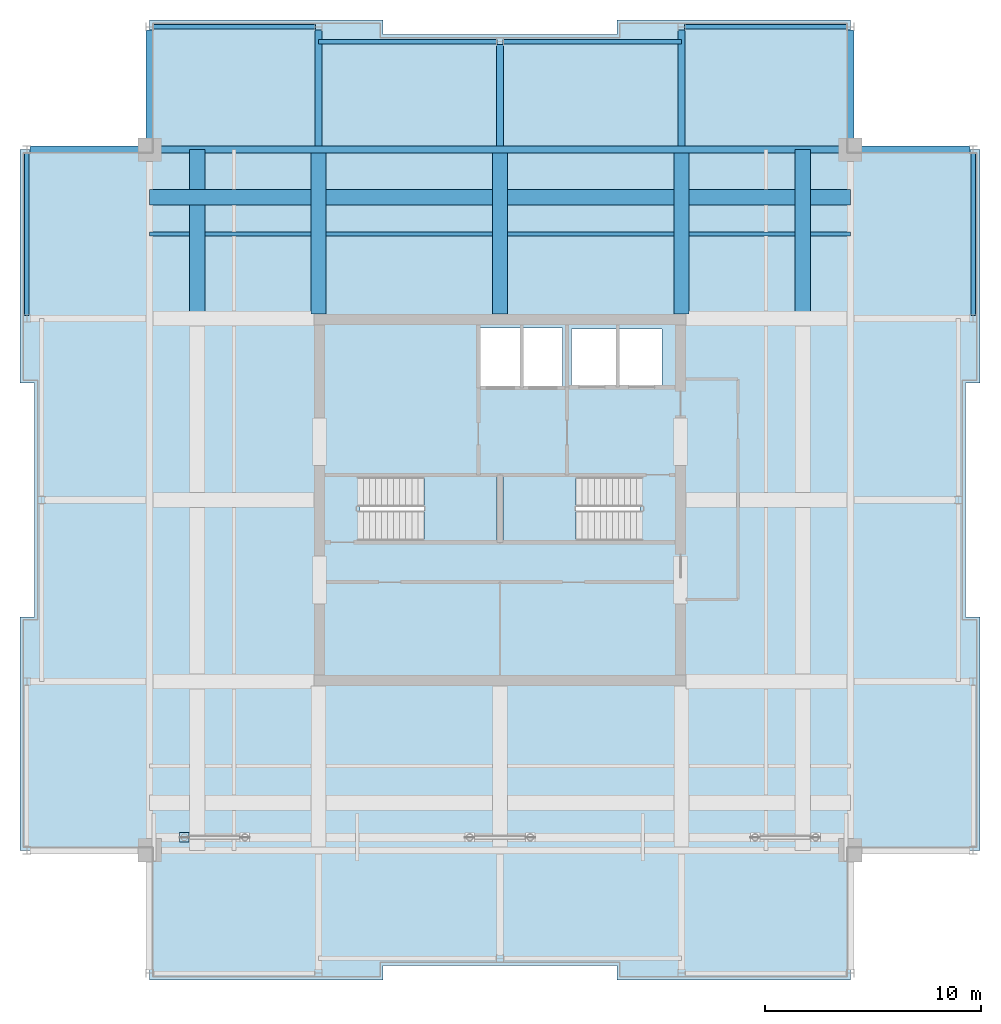
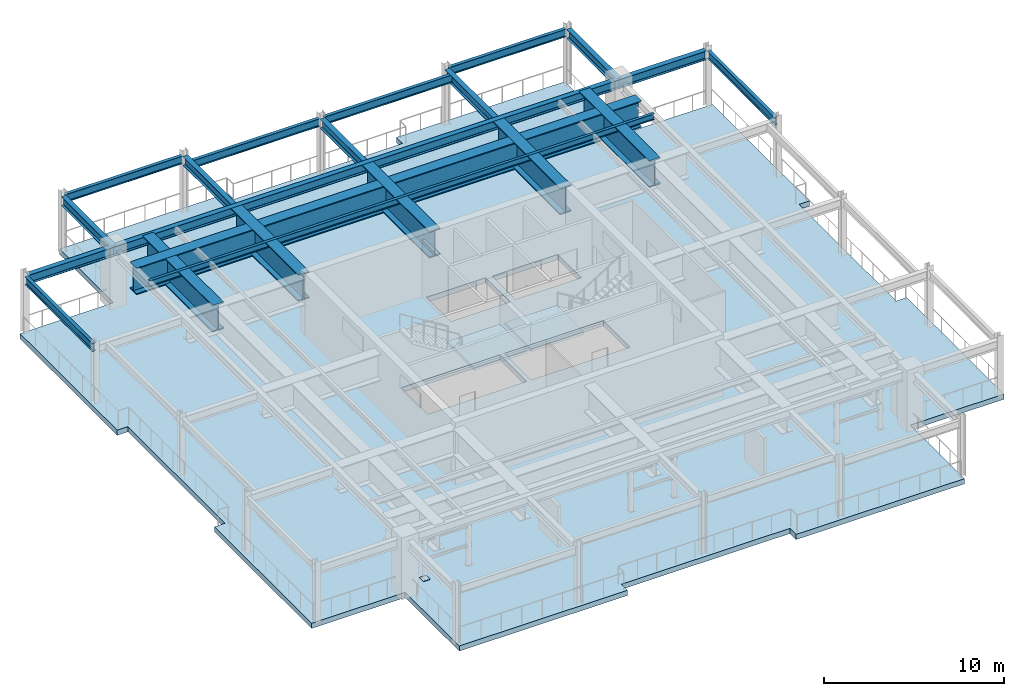
# One storey, part 7 of 12: 24 beams, 3 slabs, 1 plate, 2 elements without a shape of their own.
"""IFC4 building model written with IfcOpenShell, lengths in metres."""

from ifc_helpers import new_model, si_unit, direction, frame, origin, origin_2d, place, context, subcontext, project, spatial, polyline, rectangle, i_section, outline, extrude, material, layer, layer_set, material_profile, profile_set, type_object, element, aggregate, save


model = new_model("IFC4")

# Units and contexts
model_context = context("Model", 3, precision=1e-05, world=origin(), true_north=direction((0.0, 1.0)))
body_context = subcontext(model_context, "Body", "Model", "MODEL_VIEW")
ifc_project = project(units=[si_unit("LENGTHUNIT", "METRE"), si_unit("AREAUNIT", "SQUARE_METRE"), si_unit("VOLUMEUNIT", "CUBIC_METRE"), si_unit("PLANEANGLEUNIT", "RADIAN"), si_unit("MASSUNIT", "GRAM", prefix="KILO")], contexts=[model_context])

# Site, building, storey
site_placement = place(None, origin())
site = spatial("IfcSite", under=ifc_project, at=site_placement, CompositionType="ELEMENT")
building_placement = place(site_placement, origin())
building = spatial("IfcBuilding", under=site, at=building_placement, Name="Drelvath Grand Hotel", CompositionType="ELEMENT")
storey_placement = place(building_placement, frame((0.0, 0.0, 307.199951171875)))
storey = spatial("IfcBuildingStorey", under=building, at=storey_placement, Name="L80", CompositionType="ELEMENT", Elevation=307.199951171875)

# Beams
ifc_material_1 = material(Name="Steel ASTM A572 Gr 50", Category="steel")
ifc_material_profile_1 = material_profile(ifc_material_1, i_section(OverallWidth=0.699951171875, OverallDepth=1.800048828125, WebThickness=0.035888671875, FlangeThickness=0.06494140625, at=origin_2d()), Name="PG1800X700")
ifc_profile_set_1 = profile_set([ifc_material_profile_1], Name="Steel ASTM A572 Gr 50")
beam_type_1 = type_object("IfcBeamType", Name="Built-Up Transfer Girder PG1800X700", PredefinedType="BEAM", material=ifc_profile_set_1)
for number, where, z_axis, x_axis, name in (
    (1, (-14.0, 35.39990234375, 2.97998046875), (0.0, 1.0, 0.0), (-1.0, 0.0, 0.0), "L80 Crown Drum Transfer Girder West 4"),
    (2, (14.0, 35.39990234375, 2.97998046875), (0.0, 1.0, 0.0), (-1.0, 0.0, 0.0), "L80 Crown Drum Transfer Girder East 4"),
    (3, (-16.199951171875, 41.0, 2.97998046875), (1.0, 0.0, 0.0), (0.0, 1.0, 0.0), "L80 Crown Drum Transfer Girder North 1"),
):
    element("IfcBeam", number, at=place(storey_placement, frame(where, z_axis=z_axis, x_axis=x_axis)), inside=storey, type_object=beam_type_1, Name=name, PredefinedType="BEAM", context=body_context, shape_type="SweptSolid", body=[
        extrude(i_section(OverallWidth=0.699951171875, OverallDepth=1.800048828125, WebThickness=0.035888671875, FlangeThickness=0.06494140625, at=origin_2d()), origin(), (0.0, 0.0, 1.0), 7.800048828125),
    ])
for number, where, z_axis, x_axis, name in (
    (4, (-8.39990234375, 41.0, 2.97998046875), (1.0, 0.0, 0.0), (0.0, 1.0, 0.0), "L80 Crown Drum Transfer Girder North 2"),
    (5, (0.0, 41.0, 2.97998046875), (1.0, 0.0, 0.0), (0.0, 1.0, 0.0), "L80 Crown Drum Transfer Girder North 3"),
):
    element("IfcBeam", number, at=place(storey_placement, frame(where, z_axis=z_axis, x_axis=x_axis)), inside=storey, type_object=beam_type_1, Name=name, PredefinedType="BEAM", context=body_context, shape_type="SweptSolid", body=[
        extrude(i_section(OverallWidth=0.699951171875, OverallDepth=1.800048828125, WebThickness=0.035888671875, FlangeThickness=0.06494140625, at=origin_2d()), origin(), (0.0, 0.0, 1.0), 8.39990234375),
    ])
beam_1_placement = place(storey_placement, frame((8.39990234375, 41.0, 2.97998046875), z_axis=(1.0, 0.0, 0.0), x_axis=(0.0, 1.0, 0.0)))
element("IfcBeam", 6, at=beam_1_placement, inside=storey, type_object=beam_type_1, Name="L80 Crown Drum Transfer Girder North 4", PredefinedType="BEAM", context=body_context, shape_type="SweptSolid", body=[
    extrude(i_section(OverallWidth=0.699951171875, OverallDepth=1.800048828125, WebThickness=0.035888671875, FlangeThickness=0.06494140625, at=origin_2d()), origin(), (0.0, 0.0, 1.0), 7.800048828125),
])
for number, where, z_axis, x_axis, name in (
    (7, (-8.39990234375, 35.60009765625, 2.97998046875), (0.0, 1.0, 0.0), (-1.0, 0.0, 0.0), "L80 Drum Cross Transfer North 4"),
    (8, (0.0, 35.60009765625, 2.97998046875), (0.0, 1.0, 0.0), (-1.0, 0.0, 0.0), "L80 Drum Cross Transfer North 5"),
    (9, (8.39990234375, 35.60009765625, 2.97998046875), (0.0, 1.0, 0.0), (-1.0, 0.0, 0.0), "L80 Drum Cross Transfer North 6"),
):
    element("IfcBeam", number, at=place(storey_placement, frame(where, z_axis=z_axis, x_axis=x_axis)), inside=storey, type_object=beam_type_1, Name=name, PredefinedType="BEAM", context=body_context, shape_type="SweptSolid", body=[
        extrude(i_section(OverallWidth=0.699951171875, OverallDepth=1.800048828125, WebThickness=0.035888671875, FlangeThickness=0.06494140625, at=origin_2d()), origin(), (0.0, 0.0, 1.0), 7.43798828125),
    ])
ifc_material_2 = material(Name="Steel ASTM A992 Gr 50", Category="steel")
ifc_material_profile_2 = material_profile(ifc_material_2, i_section(OverallWidth=0.177734375, OverallDepth=0.40673828125, WebThickness=0.0078125, FlangeThickness=0.0126953125, FilletRadius=0.014892578125, at=origin_2d()), Name="W16X40")
ifc_profile_set_2 = profile_set([ifc_material_profile_2], Name="Steel ASTM A992 Gr 50")
beam_type_2 = type_object("IfcBeamType", Name="Composite Floor Joist W16X40", PredefinedType="JOIST", material=ifc_profile_set_2)
beam_2_placement = place(storey_placement, frame((-16.199951171875, 39.300048828125, 3.6767578125), z_axis=(1.0, 0.0, 0.0), x_axis=(0.0, 1.0, 0.0)))
element("IfcBeam", 10, at=beam_2_placement, inside=storey, type_object=beam_type_2, Name="L80 Floor Joist J2", PredefinedType="JOIST", context=body_context, shape_type="SweptSolid", body=[
    extrude(i_section(OverallWidth=0.177734375, OverallDepth=0.40673828125, WebThickness=0.0078125, FlangeThickness=0.0126953125, FilletRadius=0.014892578125, at=origin_2d()), origin(), (0.0, 0.0, 1.0), 32.39990234375),
])
ifc_material_profile_3 = material_profile(ifc_material_2, i_section(OverallWidth=0.210205078125, OverallDepth=0.53662109375, WebThickness=0.010986328125, FlangeThickness=0.017333984375, FilletRadius=0.01806640625, at=origin_2d()), Name="W21X68")
ifc_profile_set_3 = profile_set([ifc_material_profile_3], Name="Steel ASTM A992 Gr 50")
beam_type_3 = type_object("IfcBeamType", Name="Perimeter Spandrel Beam W21X68", PredefinedType="SPANDREL", material=ifc_profile_set_3)
for number, where, z_axis, x_axis, name in (
    (11, (-21.8798828125, 35.5400390625, 3.611572265625), (0.0, 1.0, 0.0), (-1.0, 0.0, 0.0), "L80 Spandrel West N"),
    (12, (21.8798828125, 35.5400390625, 3.611572265625), (0.0, 1.0, 0.0), (-1.0, 0.0, 0.0), "L80 Spandrel East N"),
    (13, (-16.06005859375, 48.8798828125, 3.611572265625), (1.0, 0.0, 0.0), (0.0, 1.0, 0.0), "L80 Spandrel North W"),
):
    element("IfcBeam", number, at=place(storey_placement, frame(where, z_axis=z_axis, x_axis=x_axis)), inside=storey, type_object=beam_type_3, Name=name, PredefinedType="SPANDREL", context=body_context, shape_type="SweptSolid", body=[
        extrude(i_section(OverallWidth=0.210205078125, OverallDepth=0.53662109375, WebThickness=0.010986328125, FlangeThickness=0.017333984375, FilletRadius=0.01806640625, at=origin_2d()), origin(), (0.0, 0.0, 1.0), 7.52001953125),
    ])
for number, where, z_axis, x_axis, name in (
    (14, (-8.39990234375, 48.199951171875, 3.611572265625), (1.0, 0.0, 0.0), (0.0, 1.0, 0.0), "L80 Spandrel North Mid W"),
    (15, (0.139892578125, 48.199951171875, 3.611572265625), (1.0, 0.0, 0.0), (0.0, 1.0, 0.0), "L80 Spandrel North Mid E"),
):
    element("IfcBeam", number, at=place(storey_placement, frame(where, z_axis=z_axis, x_axis=x_axis)), inside=storey, type_object=beam_type_3, Name=name, PredefinedType="SPANDREL", context=body_context, shape_type="SweptSolid", body=[
        extrude(i_section(OverallWidth=0.210205078125, OverallDepth=0.53662109375, WebThickness=0.010986328125, FlangeThickness=0.017333984375, FilletRadius=0.01806640625, at=origin_2d()), origin(), (0.0, 0.0, 1.0), 8.260009765625),
    ])
beam_3_placement = place(storey_placement, frame((8.5400390625, 48.8798828125, 3.611572265625), z_axis=(1.0, 0.0, 0.0), x_axis=(0.0, 1.0, 0.0)))
element("IfcBeam", 16, at=beam_3_placement, inside=storey, type_object=beam_type_3, Name="L80 Spandrel North E", PredefinedType="SPANDREL", context=body_context, shape_type="SweptSolid", body=[
    extrude(i_section(OverallWidth=0.210205078125, OverallDepth=0.53662109375, WebThickness=0.010986328125, FlangeThickness=0.017333984375, FilletRadius=0.01806640625, at=origin_2d()), origin(), (0.0, 0.0, 1.0), 7.52001953125),
])
ifc_material_profile_4 = material_profile(ifc_material_2, i_section(OverallWidth=0.323974609375, OverallDepth=0.611083984375, WebThickness=0.0126953125, FlangeThickness=0.01904296875, FilletRadius=0.02197265625, at=origin_2d()), Name="W24X104")
ifc_profile_set_4 = profile_set([ifc_material_profile_4], Name="Steel ASTM A992 Gr 50")
beam_type_4 = type_object("IfcBeamType", Name="Primary Floor Girder W24X104", PredefinedType="BEAM", material=ifc_profile_set_4)
beam_4_placement = place(storey_placement, frame((-16.199951171875, 43.199951171875, 3.574462890625), z_axis=(1.0, 0.0, 0.0), x_axis=(0.0, 1.0, 0.0)))
element("IfcBeam", 17, at=beam_4_placement, inside=storey, type_object=beam_type_4, Name="L80 Mega Ring Girder North", PredefinedType="BEAM", context=body_context, shape_type="SweptSolid", body=[
    extrude(i_section(OverallWidth=0.323974609375, OverallDepth=0.611083984375, WebThickness=0.0126953125, FlangeThickness=0.01904296875, FilletRadius=0.02197265625, at=origin_2d()), origin(), (0.0, 0.0, 1.0), 32.39990234375),
])
for number, where, z_axis, x_axis, name in (
    (18, (-21.739990234375, 43.199951171875, 3.574462890625), (1.0, 0.0, 0.0), (0.0, 1.0, 0.0), "L80 West Grid Girder G"),
    (19, (16.199951171875, 43.199951171875, 3.574462890625), (1.0, 0.0, 0.0), (0.0, 1.0, 0.0), "L80 East Grid Girder G"),
    (20, (-16.199951171875, 43.199951171875, 3.574462890625), (0.0, 1.0, 0.0), (-1.0, 0.0, 0.0), "L80 North Grid Girder 3"),
    (21, (16.199951171875, 43.199951171875, 3.574462890625), (0.0, 1.0, 0.0), (-1.0, 0.0, 0.0), "L80 North Grid Girder 7"),
):
    element("IfcBeam", number, at=place(storey_placement, frame(where, z_axis=z_axis, x_axis=x_axis)), inside=storey, type_object=beam_type_4, Name=name, PredefinedType="BEAM", context=body_context, shape_type="SweptSolid", body=[
        extrude(i_section(OverallWidth=0.323974609375, OverallDepth=0.611083984375, WebThickness=0.0126953125, FlangeThickness=0.01904296875, FilletRadius=0.02197265625, at=origin_2d()), origin(), (0.0, 0.0, 1.0), 5.5400390625),
    ])
beam_5_placement = place(storey_placement, frame((-8.39990234375, 43.362060546875, 3.574462890625), z_axis=(0.0, 1.0, 0.0), x_axis=(-1.0, 0.0, 0.0)))
element("IfcBeam", 22, at=beam_5_placement, inside=storey, type_object=beam_type_4, Name="L80 North Wing Girder 4", PredefinedType="BEAM", context=body_context, shape_type="SweptSolid", body=[
    extrude(i_section(OverallWidth=0.323974609375, OverallDepth=0.611083984375, WebThickness=0.0126953125, FlangeThickness=0.01904296875, FilletRadius=0.02197265625, at=origin_2d()), origin(), (0.0, 0.0, 1.0), 5.3779296875),
])
beam_6_placement = place(storey_placement, frame((0.0, 43.362060546875, 3.574462890625), z_axis=(0.0, 1.0, 0.0), x_axis=(-1.0, 0.0, 0.0)))
element("IfcBeam", 23, at=beam_6_placement, inside=storey, type_object=beam_type_4, Name="L80 North Wing Girder 5", PredefinedType="BEAM", context=body_context, shape_type="SweptSolid", body=[
    extrude(i_section(OverallWidth=0.323974609375, OverallDepth=0.611083984375, WebThickness=0.0126953125, FlangeThickness=0.01904296875, FilletRadius=0.02197265625, at=origin_2d()), origin(), (0.0, 0.0, 1.0), 4.697998046875),
])
beam_7_placement = place(storey_placement, frame((8.39990234375, 43.362060546875, 3.574462890625), z_axis=(0.0, 1.0, 0.0), x_axis=(-1.0, 0.0, 0.0)))
element("IfcBeam", 24, at=beam_7_placement, inside=storey, type_object=beam_type_4, Name="L80 North Wing Girder 6", PredefinedType="BEAM", context=body_context, shape_type="SweptSolid", body=[
    extrude(i_section(OverallWidth=0.323974609375, OverallDepth=0.611083984375, WebThickness=0.0126953125, FlangeThickness=0.01904296875, FilletRadius=0.02197265625, at=origin_2d()), origin(), (0.0, 0.0, 1.0), 5.3779296875),
])

# Slab
ifc_material_3 = material(Name="Concrete f'c 40 MPa", Category="concrete")
ifc_layer_1 = layer(ifc_material_3, 0.35009765625)
ifc_layer_set_1 = layer_set([ifc_layer_1], Name="Concrete f'c 40 MPa")
slab_type_1 = type_object("IfcSlabType", Name="Composite RC Floor Slab 350", PredefinedType="FLOOR", material=ifc_layer_set_1)
slab_1_placement = place(storey_placement, frame((0.0, 0.0, -0.349853515625)))
element("IfcSlab", 25, at=slab_1_placement, inside=storey, type_object=slab_type_1, Name="L80 Structural Floor Slab", PredefinedType="FLOOR", context=body_context, shape_type="SweptSolid", body=[
    extrude(outline(polyline([(-16.199951171875, 4.800048828125), (-5.39990234375, 4.800048828125), (-5.39990234375, 5.47998046875), (5.39990234375, 5.47998046875), (5.39990234375, 4.800048828125), (16.199951171875, 4.800048828125), (16.199951171875, 10.800048828125), (22.199951171875, 10.800048828125), (22.199951171875, 21.60009765625), (21.52001953125, 21.60009765625), (21.52001953125, 32.39990234375), (22.199951171875, 32.39990234375), (22.199951171875, 43.199951171875), (16.199951171875, 43.199951171875), (16.199951171875, 49.199951171875), (5.39990234375, 49.199951171875), (5.39990234375, 48.52001953125), (-5.39990234375, 48.52001953125), (-5.39990234375, 49.199951171875), (-16.199951171875, 49.199951171875), (-16.199951171875, 43.199951171875), (-22.199951171875, 43.199951171875), (-22.199951171875, 32.39990234375), (-21.52001953125, 32.39990234375), (-21.52001953125, 21.60009765625), (-22.199951171875, 21.60009765625), (-22.199951171875, 10.800048828125), (-16.199951171875, 10.800048828125), (-16.199951171875, 4.800048828125)]), holes=[polyline([(-6.47998046875, 25.1201171875), (-6.47998046875, 28.080078125), (-0.14990234375, 28.080078125), (-0.14990234375, 25.1201171875), (-6.47998046875, 25.1201171875)]), polyline([(0.14990234375, 25.1201171875), (0.14990234375, 28.080078125), (6.47998046875, 28.080078125), (6.47998046875, 25.1201171875), (0.14990234375, 25.1201171875)]), polyline([(-0.89990234375, 32.25), (-0.89990234375, 34.949951171875), (2.89990234375, 34.949951171875), (2.89990234375, 32.25), (-0.89990234375, 32.25)]), polyline([(3.300048828125, 32.300048828125), (3.300048828125, 34.89990234375), (7.5, 34.89990234375), (7.5, 32.300048828125), (3.300048828125, 32.300048828125)])]), origin(), (0.0, 0.0, 1.0), 0.349853515625),
])

# Stair, slab
ifc_material_4 = material(Name="Concrete C40/50", Category="concrete")
stair_type = type_object("IfcStairType", Name="Dogleg Exit Stair W1400-R175.0", PredefinedType="HALF_TURN_STAIR", material=ifc_material_4)
stair_1_placement = place(storey_placement, origin())
stair_1 = element("IfcStair", 26, at=stair_1_placement, inside=storey, type_object=stair_type, Name="L80 Core Exit Stair ST-1", PredefinedType="HALF_TURN_STAIR")
ifc_layer_2 = layer(ifc_material_4, 0.199951171875)
ifc_layer_set_2 = layer_set([ifc_layer_2], Name="Concrete C40/50")
slab_type_2 = type_object("IfcSlabType", Name="Concrete Stair Landing Slab 200", PredefinedType="LANDING", material=ifc_layer_set_2)
slab_2_placement = place(storey_placement, frame((0.0, 0.0, 1.900146484375)))
slab_2 = element("IfcSlab", 27, at=slab_2_placement, type_object=slab_type_2, Name="ST-1 landing 1", PredefinedType="LANDING", context=body_context, shape_type="SweptSolid", body=[
    extrude(outline(polyline([(-3.52001953125, 25.1201171875), (-0.14990234375, 25.1201171875), (-0.14990234375, 28.080078125), (-3.52001953125, 28.080078125), (-3.52001953125, 25.1201171875)])), origin(), (0.0, 0.0, 1.0), 0.199951171875),
])
aggregate(stair_1, [slab_2])

stair_2_placement = place(storey_placement, origin())
stair_2 = element("IfcStair", 28, at=stair_2_placement, inside=storey, type_object=stair_type, Name="L80 Core Exit Stair ST-2", PredefinedType="HALF_TURN_STAIR")
slab_3_placement = place(storey_placement, frame((0.0, 0.0, 1.900146484375)))
slab_3 = element("IfcSlab", 29, at=slab_3_placement, type_object=slab_type_2, Name="ST-2 landing 1", PredefinedType="LANDING", context=body_context, shape_type="SweptSolid", body=[
    extrude(outline(polyline([(3.52001953125, 28.080078125), (0.14990234375, 28.080078125), (0.14990234375, 25.1201171875), (3.52001953125, 25.1201171875), (3.52001953125, 28.080078125)])), origin(), (0.0, 0.0, 1.0), 0.199951171875),
])
aggregate(stair_2, [slab_3])

# Plate
ifc_layer_3 = layer(ifc_material_1, 0.02490234375)
ifc_layer_set_3 = layer_set([ifc_layer_3], Name="Steel ASTM A572 Gr 50")
plate_type = type_object("IfcPlateType", Name="Hollow Section End Cap Plate 25mm", PredefinedType="SHEET", material=ifc_layer_set_3)
plate_placement = place(storey_placement, frame((-14.60009765625, 11.39990234375, 0.002685546875), z_axis=(0.0, 0.0, 1.0), x_axis=(1.0, 0.0, 0.0)))
element("IfcPlate", 30, at=plate_placement, inside=storey, type_object=plate_type, Name="L80 Wind Turbine Pedestal Base Plate WT-1-L", PredefinedType="SHEET", context=body_context, shape_type="SweptSolid", body=[
    extrude(rectangle(XDim=0.43994140625, YDim=0.43994140625, at=origin_2d()), origin(), (0.0, 0.0, 1.0), 0.02490234375),
])

save(model, "model.ifc")
